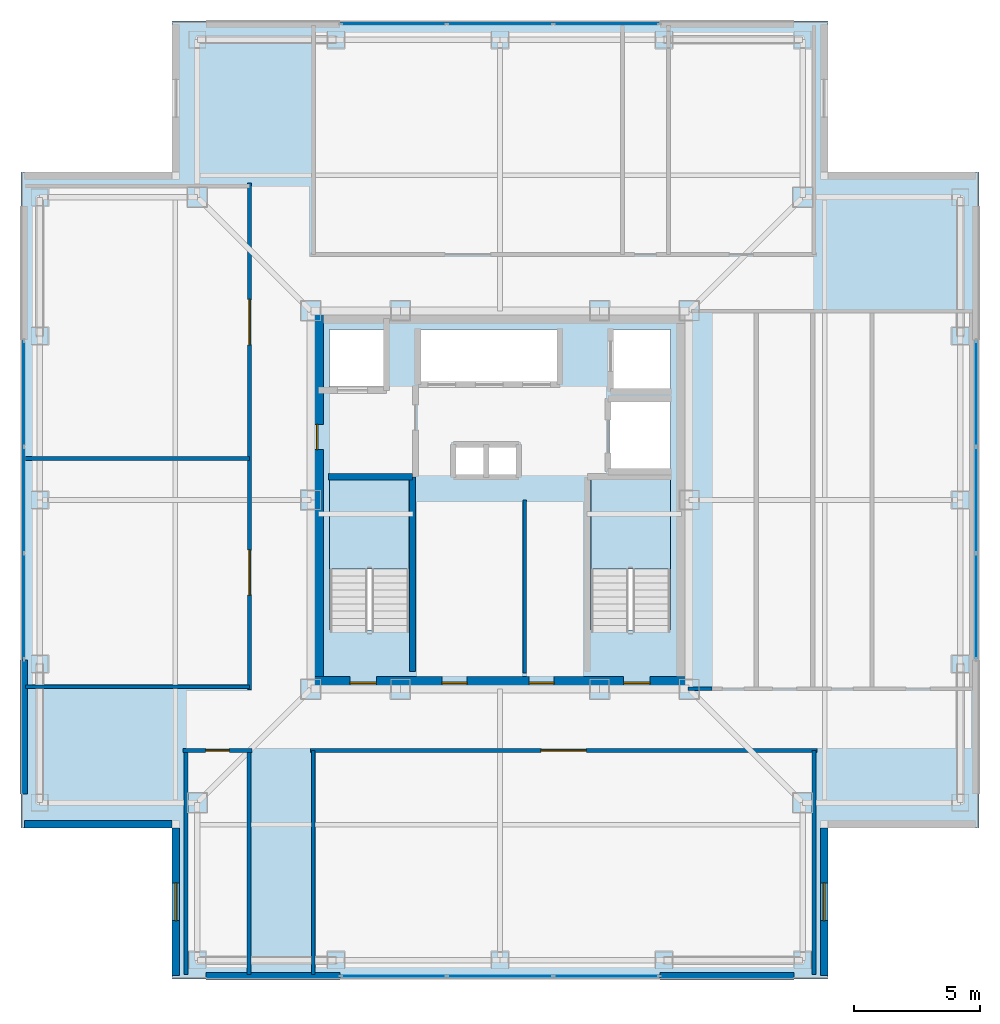
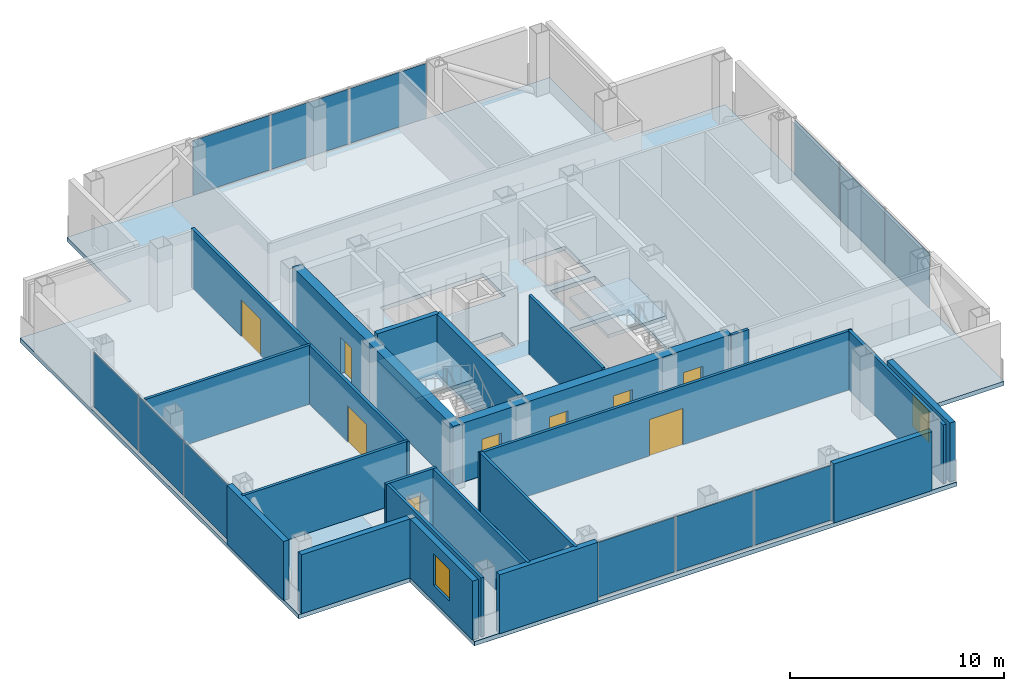
# One storey, part 8 of 16: 21 walls, 12 plates, 9 doors, 3 slabs, 2 windows, 11 openings, 6 elements without a shape of their own.
"""IFC4 building model written with IfcOpenShell, lengths in metres."""

from ifc_helpers import new_model, si_unit, direction, frame, frame_2d, origin, origin_2d, place, context, subcontext, project, spatial, polyline, rectangle, outline, extrude, material, layer, layer_set, type_object, element, fill, aggregate, save


model = new_model("IFC4")

# Units and contexts
model_context = context("Model", 3, precision=1e-05, world=origin(), true_north=direction((0.0, 1.0)))
body_context = subcontext(model_context, "Body", "Model", "MODEL_VIEW")
ifc_project = project(units=[si_unit("LENGTHUNIT", "METRE"), si_unit("AREAUNIT", "SQUARE_METRE"), si_unit("VOLUMEUNIT", "CUBIC_METRE"), si_unit("PLANEANGLEUNIT", "RADIAN"), si_unit("MASSUNIT", "GRAM", prefix="KILO")], contexts=[model_context])

# Site, building, storey
site_placement = place(None, origin())
site = spatial("IfcSite", under=ifc_project, at=site_placement, CompositionType="ELEMENT")
building_placement = place(site_placement, origin())
building = spatial("IfcBuilding", under=site, at=building_placement, Name="Trevonay Congress Spire", CompositionType="ELEMENT")
storey_placement = place(building_placement, frame((0.0, 0.0, 257.60009765625)))
storey = spatial("IfcBuildingStorey", under=building, at=storey_placement, Name="L67", CompositionType="ELEMENT", Elevation=257.60009765625)

# Curtain wall, plates
ifc_material_1 = material(Name="Pale Anodised Aluminium EN AW-6063-T6", Category="aluminium")
ifc_layer_1 = layer(ifc_material_1, 0.1650390625, Name="Pale Anodised Aluminium EN AW-6063-T6")
ifc_layer_set_1 = layer_set([ifc_layer_1], Name="Pale Anodised Aluminium EN AW-6063-T6")
curtain_wall_type = type_object("IfcCurtainWallType", Name="CW-SYS05-DIPLOM-PALE-METAL", PredefinedType="NOTDEFINED", material=ifc_layer_set_1)
curtain_wall_1_placement = place(storey_placement, origin())
curtain_wall_1 = element("IfcCurtainWall", 1, at=curtain_wall_1_placement, inside=storey, type_object=curtain_wall_type, Name="L67 S unitised curtain wall", PredefinedType="NOTDEFINED")
ifc_material_2 = material(Name="Insulated Low-E Vision Glass IGU", Category="glass")
ifc_layer_2 = layer(ifc_material_2, 0.035888671875, Name="Insulated Low-E Vision Glass IGU")
ifc_layer_set_2 = layer_set([ifc_layer_2], Name="Insulated Low-E Vision Glass IGU")
plate_type = type_object("IfcPlateType", Name="CW-PANEL-IGU36-SILVER", PredefinedType="CURTAIN_PANEL", material=ifc_layer_set_2)
plate_1_placement = place(storey_placement, frame((-4.21826171875, -18.8798828125, 0.119873046875), z_axis=(0.0, 0.0, 1.0), x_axis=(1.0, 0.0, 0.0)))
plate_1 = element("IfcPlate", 2, at=plate_1_placement, type_object=plate_type, Name="CW05 panel 1.1", PredefinedType="CURTAIN_PANEL", context=body_context, shape_type="SweptSolid", body=[
    extrude(rectangle(XDim=4.143310546875, YDim=0.035888671875, at=origin_2d()), origin(), (0.0, 0.0, 1.0), 3.1201171875),
])
plate_2_placement = place(storey_placement, frame((0.0, -18.8798828125, 0.119873046875), z_axis=(0.0, 0.0, 1.0), x_axis=(1.0, 0.0, 0.0)))
plate_2 = element("IfcPlate", 3, at=plate_2_placement, type_object=plate_type, Name="CW05 panel 2.1", PredefinedType="CURTAIN_PANEL", context=body_context, shape_type="SweptSolid", body=[
    extrude(rectangle(XDim=4.17333984375, YDim=0.035888671875, at=origin_2d()), origin(), (0.0, 0.0, 1.0), 3.1201171875),
])
plate_3_placement = place(storey_placement, frame((4.21826171875, -18.8798828125, 0.119873046875), z_axis=(0.0, 0.0, 1.0), x_axis=(1.0, 0.0, 0.0)))
plate_3 = element("IfcPlate", 4, at=plate_3_placement, type_object=plate_type, Name="CW05 panel 3.1", PredefinedType="CURTAIN_PANEL", context=body_context, shape_type="SweptSolid", body=[
    extrude(rectangle(XDim=4.143310546875, YDim=0.035888671875, at=origin_2d()), origin(), (0.0, 0.0, 1.0), 3.1201171875),
])
aggregate(curtain_wall_1, [plate_1, plate_2, plate_3])

curtain_wall_2_placement = place(storey_placement, origin())
curtain_wall_2 = element("IfcCurtainWall", 5, at=curtain_wall_2_placement, inside=storey, type_object=curtain_wall_type, Name="L67 N unitised curtain wall", PredefinedType="NOTDEFINED")
plate_4_placement = place(storey_placement, frame((-4.21826171875, 18.8798828125, 0.119873046875), z_axis=(0.0, 0.0, 1.0), x_axis=(1.0, 0.0, 0.0)))
plate_4 = element("IfcPlate", 6, at=plate_4_placement, type_object=plate_type, Name="CW05 panel 1.1", PredefinedType="CURTAIN_PANEL", context=body_context, shape_type="SweptSolid", body=[
    extrude(rectangle(XDim=4.143310546875, YDim=0.035888671875, at=origin_2d()), origin(), (0.0, 0.0, 1.0), 3.1201171875),
])
plate_5_placement = place(storey_placement, frame((0.0, 18.8798828125, 0.119873046875), z_axis=(0.0, 0.0, 1.0), x_axis=(1.0, 0.0, 0.0)))
plate_5 = element("IfcPlate", 7, at=plate_5_placement, type_object=plate_type, Name="CW05 panel 2.1", PredefinedType="CURTAIN_PANEL", context=body_context, shape_type="SweptSolid", body=[
    extrude(rectangle(XDim=4.17333984375, YDim=0.035888671875, at=origin_2d()), origin(), (0.0, 0.0, 1.0), 3.1201171875),
])
plate_6_placement = place(storey_placement, frame((4.21826171875, 18.8798828125, 0.119873046875), z_axis=(0.0, 0.0, 1.0), x_axis=(1.0, 0.0, 0.0)))
plate_6 = element("IfcPlate", 8, at=plate_6_placement, type_object=plate_type, Name="CW05 panel 3.1", PredefinedType="CURTAIN_PANEL", context=body_context, shape_type="SweptSolid", body=[
    extrude(rectangle(XDim=4.143310546875, YDim=0.035888671875, at=origin_2d()), origin(), (0.0, 0.0, 1.0), 3.1201171875),
])
aggregate(curtain_wall_2, [plate_4, plate_5, plate_6])

curtain_wall_3_placement = place(storey_placement, origin())
curtain_wall_3 = element("IfcCurtainWall", 9, at=curtain_wall_3_placement, inside=storey, type_object=curtain_wall_type, Name="L67 W unitised curtain wall", PredefinedType="NOTDEFINED")
plate_7_placement = place(storey_placement, frame((-18.8798828125, -4.21826171875, 0.119873046875), z_axis=(0.0, 0.0, 1.0), x_axis=(0.0, 1.0, 0.0)))
plate_7 = element("IfcPlate", 10, at=plate_7_placement, type_object=plate_type, Name="CW05 panel 1.1", PredefinedType="CURTAIN_PANEL", context=body_context, shape_type="SweptSolid", body=[
    extrude(rectangle(XDim=4.143310546875, YDim=0.035888671875, at=origin_2d()), origin(), (0.0, 0.0, 1.0), 3.1201171875),
])
plate_8_placement = place(storey_placement, frame((-18.8798828125, 0.0, 0.119873046875), z_axis=(0.0, 0.0, 1.0), x_axis=(0.0, 1.0, 0.0)))
plate_8 = element("IfcPlate", 11, at=plate_8_placement, type_object=plate_type, Name="CW05 panel 2.1", PredefinedType="CURTAIN_PANEL", context=body_context, shape_type="SweptSolid", body=[
    extrude(rectangle(XDim=4.17333984375, YDim=0.035888671875, at=origin_2d()), origin(), (0.0, 0.0, 1.0), 3.1201171875),
])
plate_9_placement = place(storey_placement, frame((-18.8798828125, 4.21826171875, 0.119873046875), z_axis=(0.0, 0.0, 1.0), x_axis=(0.0, 1.0, 0.0)))
plate_9 = element("IfcPlate", 12, at=plate_9_placement, type_object=plate_type, Name="CW05 panel 3.1", PredefinedType="CURTAIN_PANEL", context=body_context, shape_type="SweptSolid", body=[
    extrude(rectangle(XDim=4.143310546875, YDim=0.035888671875, at=origin_2d()), origin(), (0.0, 0.0, 1.0), 3.1201171875),
])
aggregate(curtain_wall_3, [plate_7, plate_8, plate_9])

curtain_wall_4_placement = place(storey_placement, origin())
curtain_wall_4 = element("IfcCurtainWall", 13, at=curtain_wall_4_placement, inside=storey, type_object=curtain_wall_type, Name="L67 E unitised curtain wall", PredefinedType="NOTDEFINED")
plate_10_placement = place(storey_placement, frame((18.8798828125, -4.21826171875, 0.119873046875), z_axis=(0.0, 0.0, 1.0), x_axis=(0.0, 1.0, 0.0)))
plate_10 = element("IfcPlate", 14, at=plate_10_placement, type_object=plate_type, Name="CW05 panel 1.1", PredefinedType="CURTAIN_PANEL", context=body_context, shape_type="SweptSolid", body=[
    extrude(rectangle(XDim=4.143310546875, YDim=0.035888671875, at=origin_2d()), origin(), (0.0, 0.0, 1.0), 3.1201171875),
])
plate_11_placement = place(storey_placement, frame((18.8798828125, 0.0, 0.119873046875), z_axis=(0.0, 0.0, 1.0), x_axis=(0.0, 1.0, 0.0)))
plate_11 = element("IfcPlate", 15, at=plate_11_placement, type_object=plate_type, Name="CW05 panel 2.1", PredefinedType="CURTAIN_PANEL", context=body_context, shape_type="SweptSolid", body=[
    extrude(rectangle(XDim=4.17333984375, YDim=0.035888671875, at=origin_2d()), origin(), (0.0, 0.0, 1.0), 3.1201171875),
])
plate_12_placement = place(storey_placement, frame((18.8798828125, 4.21826171875, 0.119873046875), z_axis=(0.0, 0.0, 1.0), x_axis=(0.0, 1.0, 0.0)))
plate_12 = element("IfcPlate", 16, at=plate_12_placement, type_object=plate_type, Name="CW05 panel 3.1", PredefinedType="CURTAIN_PANEL", context=body_context, shape_type="SweptSolid", body=[
    extrude(rectangle(XDim=4.143310546875, YDim=0.035888671875, at=origin_2d()), origin(), (0.0, 0.0, 1.0), 3.1201171875),
])
aggregate(curtain_wall_4, [plate_10, plate_11, plate_12])

# Stair, slab
ifc_material_3 = material(Name="Concrete C40/50", Category="concrete")
stair_type_1 = type_object("IfcStairType", Name="STR-ST-1", PredefinedType="HALF_TURN_STAIR", material=ifc_material_3)
stair_1_placement = place(storey_placement, origin())
stair_1 = element("IfcStair", 17, at=stair_1_placement, inside=storey, type_object=stair_type_1, Name="L67 Protected Exit Stair ST-1", PredefinedType="HALF_TURN_STAIR")
ifc_layer_3 = layer(ifc_material_3, 0.199951171875, Name="Concrete C40/50")
ifc_layer_set_3 = layer_set([ifc_layer_3], Name="Concrete C40/50")
slab_type_1 = type_object("IfcSlabType", Name="SLB-STAIR-LAND-200", PredefinedType="LANDING", material=ifc_layer_set_3)
slab_1_placement = place(storey_placement, frame((0.0, 0.0, 1.599853515625)))
slab_1 = element("IfcSlab", 18, at=slab_1_placement, type_object=slab_type_1, Name="ST-1 landing 1", PredefinedType="LANDING", context=body_context, shape_type="SweptSolid", body=[
    extrude(outline(polyline([(-3.60009765625, -2.72998046875), (-3.60009765625, 0.85009765625), (-6.75, 0.85009765625), (-6.75, -2.72998046875), (-3.60009765625, -2.72998046875)])), origin(), (0.0, 0.0, 1.0), 0.199951171875),
])
aggregate(stair_1, [slab_1])

stair_type_2 = type_object("IfcStairType", Name="STR-ST-2", PredefinedType="HALF_TURN_STAIR", material=ifc_material_3)
stair_2_placement = place(storey_placement, origin())
stair_2 = element("IfcStair", 19, at=stair_2_placement, inside=storey, type_object=stair_type_2, Name="L67 Protected Exit Stair ST-2", PredefinedType="HALF_TURN_STAIR")
slab_2_placement = place(storey_placement, frame((0.0, 0.0, 1.599853515625)))
slab_2 = element("IfcSlab", 20, at=slab_2_placement, type_object=slab_type_1, Name="ST-2 landing 1", PredefinedType="LANDING", context=body_context, shape_type="SweptSolid", body=[
    extrude(outline(polyline([(6.75, -2.72998046875), (6.75, 0.85009765625), (3.60009765625, 0.85009765625), (3.60009765625, -2.72998046875), (6.75, -2.72998046875)])), origin(), (0.0, 0.0, 1.0), 0.199951171875),
])
aggregate(stair_2, [slab_2])

# Slab
ifc_layer_4 = layer(ifc_material_3, 0.239990234375, Name="Concrete C40/50")
ifc_layer_set_4 = layer_set([ifc_layer_4], Name="Concrete C40/50")
slab_type_2 = type_object("IfcSlabType", Name="SLB-TOW2-240", PredefinedType="FLOOR", material=ifc_layer_set_4)
slab_3_placement = place(storey_placement, frame((0.0, 0.0, -0.239990234375)))
element("IfcSlab", 21, at=slab_3_placement, inside=storey, type_object=slab_type_2, Name="L67 structural floor slab", PredefinedType="FLOOR", context=body_context, shape_type="SweptSolid", body=[
    extrude(outline(polyline([(-13.0, -19.0), (13.0, -19.0), (13.0, -13.0), (19.0, -13.0), (19.0, 13.0), (13.0, 13.0), (13.0, 19.0), (-13.0, 19.0), (-13.0, 13.0), (-19.0, 13.0), (-19.0, -13.0), (-13.0, -13.0), (-13.0, -19.0)]), holes=[polyline([(-3.60009765625, -5.14990234375), (-3.60009765625, 0.85009765625), (-6.75, 0.85009765625), (-6.75, -5.14990234375), (-3.60009765625, -5.14990234375)]), polyline([(6.75, -5.14990234375), (6.75, 0.85009765625), (3.60009765625, 0.85009765625), (3.60009765625, -5.14990234375), (6.75, -5.14990234375)]), polyline([(-3.199951171875, 4.64990234375), (2.340087890625, 4.64990234375), (2.340087890625, 6.75), (-3.199951171875, 6.75), (-3.199951171875, 4.64990234375)]), polyline([(-6.75, 4.35009765625), (-4.449951171875, 4.35009765625), (-4.449951171875, 6.75), (-6.75, 6.75), (-6.75, 4.35009765625)]), polyline([(4.449951171875, 4.35009765625), (6.75, 4.35009765625), (6.75, 6.75), (4.449951171875, 6.75), (4.449951171875, 4.35009765625)]), polyline([(4.35009765625, 1.199951171875), (6.75, 1.199951171875), (6.75, 3.949951171875), (4.35009765625, 3.949951171875), (4.35009765625, 1.199951171875)]), polyline([(-1.800048828125, 0.949951171875), (0.699951171875, 0.949951171875), (0.699951171875, 2.14990234375), (-1.800048828125, 2.14990234375), (-1.800048828125, 0.949951171875)])]), origin(), (0.0, 0.0, 1.0), 0.239990234375),
])

# Wall, openings, doors
ifc_material_4 = material(Name="Concrete C50/60", Category="concrete")
ifc_layer_5 = layer(ifc_material_4, 0.5, Name="Concrete C50/60")
ifc_layer_set_5 = layer_set([ifc_layer_5], Name="Concrete C50/60")
wall_type_1 = type_object("IfcWallType", Name="WAL-CORE-500", PredefinedType="SHEAR", material=ifc_layer_set_5)
wall_1_placement = place(storey_placement, frame((-7.5, -7.25, 0.0), z_axis=(0.0, 0.0, 1.0), x_axis=(1.0, 0.0, 0.0)))
wall_1 = element("IfcWall", 22, at=wall_1_placement, inside=storey, type_object=wall_type_1, Name="L67 South structural core shear wall", PredefinedType="SHEAR", context=body_context, shape_type="SweptSolid", body=[
    extrude(rectangle(XDim=15.0, YDim=0.5, at=frame_2d((7.5, 0.0))), origin(), (0.0, 0.0, 1.0), 3.35986328125),
])
opening_1_placement = place(wall_1_placement, frame((1.550048828125, 0.0, 0.0)))
opening_1 = element("IfcOpeningElement", 23, at=opening_1_placement, cuts=wall_1, Name="Opening D05", PredefinedType="OPENING", context=body_context, shape_type="SweptSolid", body=[
    extrude(rectangle(XDim=1.050048828125, YDim=2.080078125, at=frame_2d((0.52490234375, 1.0400390625))), frame((0.0, 0.260009765625, 0.0), z_axis=(0.0, -1.0, 0.0), x_axis=(1.0, 0.0, 0.0)), (0.0, 0.0, 1.0), 0.52001953125),
])
opening_2_placement = place(wall_1_placement, frame((12.39990234375, 0.0, 0.0)))
opening_2 = element("IfcOpeningElement", 24, at=opening_2_placement, cuts=wall_1, Name="Opening D05", PredefinedType="OPENING", context=body_context, shape_type="SweptSolid", body=[
    extrude(rectangle(XDim=1.050048828125, YDim=2.080078125, at=frame_2d((0.52490234375, 1.0400390625))), frame((0.0, 0.260009765625, 0.0), z_axis=(0.0, -1.0, 0.0), x_axis=(1.0, 0.0, 0.0)), (0.0, 0.0, 1.0), 0.52001953125),
])
opening_3_placement = place(wall_1_placement, frame((5.199951171875, 0.0, 0.0)))
opening_3 = element("IfcOpeningElement", 25, at=opening_3_placement, cuts=wall_1, Name="Opening D06", PredefinedType="OPENING", context=body_context, shape_type="SweptSolid", body=[
    extrude(rectangle(XDim=1.0, YDim=2.080078125, at=frame_2d((0.5, 1.0400390625))), frame((0.0, 0.260009765625, 0.0), z_axis=(0.0, -1.0, 0.0), x_axis=(1.0, 0.0, 0.0)), (0.0, 0.0, 1.0), 0.52001953125),
])
opening_4_placement = place(wall_1_placement, frame((8.64990234375, 0.0, 0.0)))
opening_4 = element("IfcOpeningElement", 26, at=opening_4_placement, cuts=wall_1, Name="Opening D06", PredefinedType="OPENING", context=body_context, shape_type="SweptSolid", body=[
    extrude(rectangle(XDim=1.0, YDim=2.080078125, at=frame_2d((0.5, 1.0400390625))), frame((0.0, 0.260009765625, 0.0), z_axis=(0.0, -1.0, 0.0), x_axis=(1.0, 0.0, 0.0)), (0.0, 0.0, 1.0), 0.52001953125),
])
ifc_material_5 = material(Name="Steel ASTM A572 Grade 50", Category="steel")
door_type_1 = type_object("IfcDoorType", Name="DOR-FIRE-100", OperationType="NOTDEFINED", PredefinedType="DOOR", material=ifc_material_5)
door_1_placement = place(opening_3_placement, origin())
door_1 = element("IfcDoor", 27, at=door_1_placement, inside=storey, type_object=door_type_1, Name="L67 South Core Room 1 Door", OperationType="SINGLE_SWING_LEFT", OverallHeight=2.080078125, OverallWidth=1.0, PredefinedType="DOOR", context=body_context, shape_type="SweptSolid", body=[
    extrude(rectangle(XDim=1.0, YDim=2.080078125, at=frame_2d((0.5, 1.0400390625))), frame((0.0, 0.02490234375, 0.0), z_axis=(0.0, -1.0, 0.0), x_axis=(1.0, 0.0, 0.0)), (0.0, 0.0, 1.0), 0.050048828125),
])
fill(opening_3, door_1)
door_2_placement = place(opening_4_placement, origin())
door_2 = element("IfcDoor", 28, at=door_2_placement, inside=storey, type_object=door_type_1, Name="L67 South Core Room 2 Door", OperationType="SINGLE_SWING_RIGHT", OverallHeight=2.080078125, OverallWidth=1.0, PredefinedType="DOOR", context=body_context, shape_type="SweptSolid", body=[
    extrude(rectangle(XDim=1.0, YDim=2.080078125, at=frame_2d((0.5, 1.0400390625))), frame((0.0, 0.02490234375, 0.0), z_axis=(0.0, -1.0, 0.0), x_axis=(1.0, 0.0, 0.0)), (0.0, 0.0, 1.0), 0.050048828125),
])
fill(opening_4, door_2)
door_type_2 = type_object("IfcDoorType", Name="DOR-STAIR-110", OperationType="NOTDEFINED", PredefinedType="DOOR", material=ifc_material_5)
door_3_placement = place(opening_1_placement, origin())
door_3 = element("IfcDoor", 29, at=door_3_placement, inside=storey, type_object=door_type_2, Name="L67 Protected Stair ST-1 Door", OperationType="SINGLE_SWING_RIGHT", OverallHeight=2.080078125, OverallWidth=1.050048828125, PredefinedType="DOOR", context=body_context, shape_type="SweptSolid", body=[
    extrude(rectangle(XDim=1.050048828125, YDim=2.080078125, at=frame_2d((0.52490234375, 1.0400390625))), frame((0.0, 0.02490234375, 0.0), z_axis=(0.0, -1.0, 0.0), x_axis=(1.0, 0.0, 0.0)), (0.0, 0.0, 1.0), 0.050048828125),
])
fill(opening_1, door_3)
door_4_placement = place(opening_2_placement, origin())
door_4 = element("IfcDoor", 30, at=door_4_placement, inside=storey, type_object=door_type_2, Name="L67 Protected Stair ST-2 Door", OperationType="SINGLE_SWING_LEFT", OverallHeight=2.080078125, OverallWidth=1.050048828125, PredefinedType="DOOR", context=body_context, shape_type="SweptSolid", body=[
    extrude(rectangle(XDim=1.050048828125, YDim=2.080078125, at=frame_2d((0.52490234375, 1.0400390625))), frame((0.0, 0.02490234375, 0.0), z_axis=(0.0, -1.0, 0.0), x_axis=(1.0, 0.0, 0.0)), (0.0, 0.0, 1.0), 0.050048828125),
])
fill(opening_2, door_4)

# Wall, opening, door
wall_2_placement = place(storey_placement, frame((-7.25, -7.5, 0.0), z_axis=(0.0, 0.0, 1.0), x_axis=(0.0, 1.0, 0.0)))
wall_2 = element("IfcWall", 31, at=wall_2_placement, inside=storey, type_object=wall_type_1, Name="L67 West structural core shear wall", PredefinedType="SHEAR", context=body_context, shape_type="SweptSolid", body=[
    extrude(rectangle(XDim=15.0, YDim=0.5, at=frame_2d((7.5, 0.0))), origin(), (0.0, 0.0, 1.0), 3.35986328125),
])
opening_5_placement = place(wall_2_placement, frame((9.5, 0.0, 0.0)))
opening_5 = element("IfcOpeningElement", 32, at=opening_5_placement, cuts=wall_2, Name="Opening D06", PredefinedType="OPENING", context=body_context, shape_type="SweptSolid", body=[
    extrude(rectangle(XDim=1.0, YDim=2.080078125, at=frame_2d((0.5, 1.0400390625))), frame((0.0, 0.260009765625, 0.0), z_axis=(0.0, -1.0, 0.0), x_axis=(1.0, 0.0, 0.0)), (0.0, 0.0, 1.0), 0.52001953125),
])
door_5_placement = place(opening_5_placement, origin())
door_5 = element("IfcDoor", 33, at=door_5_placement, inside=storey, type_object=door_type_1, Name="L67 Firefighting Lift Lobby West Corridor Door", OperationType="SINGLE_SWING_RIGHT", OverallHeight=2.080078125, OverallWidth=1.0, PredefinedType="DOOR", context=body_context, shape_type="SweptSolid", body=[
    extrude(rectangle(XDim=1.0, YDim=2.080078125, at=frame_2d((0.5, 1.0400390625))), frame((0.0, 0.02490234375, 0.0), z_axis=(0.0, -1.0, 0.0), x_axis=(1.0, 0.0, 0.0)), (0.0, 0.0, 1.0), 0.050048828125),
])
fill(opening_5, door_5)

ifc_layer_6 = layer(ifc_material_3, 0.14990234375, Name="Concrete C40/50")
ifc_layer_set_6 = layer_set([ifc_layer_6], Name="Concrete C40/50")
wall_type_2 = type_object("IfcWallType", Name="WAL-CORR-150", PredefinedType="PARTITIONING", material=ifc_layer_set_6)
wall_3_placement = place(storey_placement, frame((-12.570068359375, -9.929931640625, 0.0), z_axis=(0.0, 0.0, 1.0), x_axis=(1.0, 0.0, 0.0)))
wall_3 = element("IfcWall", 34, at=wall_3_placement, inside=storey, type_object=wall_type_2, Name="L67 interior wall WP-L67SW-COR", PredefinedType="PARTITIONING", context=body_context, shape_type="SweptSolid", body=[
    extrude(rectangle(XDim=2.739990234375, YDim=0.14990234375, at=frame_2d((1.3701171875, 0.0))), origin(), (0.0, 0.0, 1.0), 3.35986328125),
])
opening_6_placement = place(wall_3_placement, frame((0.89501953125, 0.0, 0.0)))
opening_6 = element("IfcOpeningElement", 35, at=opening_6_placement, cuts=wall_3, Name="Opening D07", PredefinedType="OPENING", context=body_context, shape_type="SweptSolid", body=[
    extrude(rectangle(XDim=0.949951171875, YDim=2.06005859375, at=frame_2d((0.47509765625, 1.030029296875))), frame((0.0, 0.0849609375, 0.0), z_axis=(0.0, -1.0, 0.0), x_axis=(1.0, 0.0, 0.0)), (0.0, 0.0, 1.0), 0.169921875),
])
door_type_3 = type_object("IfcDoorType", Name="DOR-OFFICE-95", OperationType="NOTDEFINED", PredefinedType="DOOR", material=ifc_material_1)
door_6_placement = place(opening_6_placement, origin())
door_6 = element("IfcDoor", 36, at=door_6_placement, inside=storey, type_object=door_type_3, Name="L67 Chef Tasting Private Dining Room Door", OperationType="SINGLE_SWING_RIGHT", OverallHeight=2.06005859375, OverallWidth=0.949951171875, PredefinedType="DOOR", context=body_context, shape_type="SweptSolid", body=[
    extrude(rectangle(XDim=0.949951171875, YDim=2.06005859375, at=frame_2d((0.47509765625, 1.030029296875))), frame((0.0, 0.02490234375, 0.0), z_axis=(0.0, -1.0, 0.0), x_axis=(1.0, 0.0, 0.0)), (0.0, 0.0, 1.0), 0.050048828125),
])
fill(opening_6, door_6)

wall_4_placement = place(storey_placement, frame((-7.52001953125, -9.929931640625, 0.0), z_axis=(0.0, 0.0, 1.0), x_axis=(1.0, 0.0, 0.0)))
wall_4 = element("IfcWall", 37, at=wall_4_placement, inside=storey, type_object=wall_type_2, Name="L67 interior wall WP-L67SE-COR", PredefinedType="PARTITIONING", context=body_context, shape_type="SweptSolid", body=[
    extrude(rectangle(XDim=20.090087890625, YDim=0.14990234375, at=frame_2d((10.044921875, 0.0))), origin(), (0.0, 0.0, 1.0), 3.35986328125),
])
opening_7_placement = place(wall_4_placement, frame((9.14501953125, 0.0, 0.0)))
opening_7 = element("IfcOpeningElement", 38, at=opening_7_placement, cuts=wall_4, Name="Opening D09", PredefinedType="OPENING", context=body_context, shape_type="SweptSolid", body=[
    extrude(rectangle(XDim=1.800048828125, YDim=2.080078125, at=frame_2d((0.89990234375, 1.0400390625))), frame((0.0, 0.0849609375, 0.0), z_axis=(0.0, -1.0, 0.0), x_axis=(1.0, 0.0, 0.0)), (0.0, 0.0, 1.0), 0.169921875),
])
door_type_4 = type_object("IfcDoorType", Name="DOR-CONF-DBL", OperationType="DOUBLE_DOOR_SINGLE_SWING", PredefinedType="DOOR", material=ifc_material_1)
door_7_placement = place(opening_7_placement, origin())
door_7 = element("IfcDoor", 39, at=door_7_placement, inside=storey, type_object=door_type_4, Name="L67 State Panoramic Fine-Dining Restaurant Door", OperationType="DOUBLE_DOOR_SINGLE_SWING", OverallHeight=2.080078125, OverallWidth=1.800048828125, PredefinedType="DOOR", context=body_context, shape_type="SweptSolid", body=[
    extrude(rectangle(XDim=1.800048828125, YDim=2.080078125, at=frame_2d((0.89990234375, 1.0400390625))), frame((0.0, 0.02490234375, 0.0), z_axis=(0.0, -1.0, 0.0), x_axis=(1.0, 0.0, 0.0)), (0.0, 0.0, 1.0), 0.050048828125),
])
fill(opening_7, door_7)

# Wall, openings, doors
wall_5_placement = place(storey_placement, frame((-9.929931640625, -7.52001953125, 0.0), z_axis=(0.0, 0.0, 1.0), x_axis=(0.0, 1.0, 0.0)))
wall_5 = element("IfcWall", 40, at=wall_5_placement, inside=storey, type_object=wall_type_2, Name="L67 interior wall WP-L67NW-COR", PredefinedType="PARTITIONING", context=body_context, shape_type="SweptSolid", body=[
    extrude(rectangle(XDim=20.090087890625, YDim=0.14990234375, at=frame_2d((10.044921875, 0.0))), origin(), (0.0, 0.0, 1.0), 3.35986328125),
])
opening_8_placement = place(wall_5_placement, frame((3.7451171875, 0.0, 0.0)))
opening_8 = element("IfcOpeningElement", 41, at=opening_8_placement, cuts=wall_5, Name="Opening D09", PredefinedType="OPENING", context=body_context, shape_type="SweptSolid", body=[
    extrude(rectangle(XDim=1.800048828125, YDim=2.080078125, at=frame_2d((0.89990234375, 1.0400390625))), frame((0.0, 0.0849609375, 0.0), z_axis=(0.0, -1.0, 0.0), x_axis=(1.0, 0.0, 0.0)), (0.0, 0.0, 1.0), 0.169921875),
])
opening_9_placement = place(wall_5_placement, frame((13.669921875, 0.0, 0.0)))
opening_9 = element("IfcOpeningElement", 42, at=opening_9_placement, cuts=wall_5, Name="Opening D09", PredefinedType="OPENING", context=body_context, shape_type="SweptSolid", body=[
    extrude(rectangle(XDim=1.800048828125, YDim=2.080078125, at=frame_2d((0.89990234375, 1.0400390625))), frame((0.0, 0.0849609375, 0.0), z_axis=(0.0, -1.0, 0.0), x_axis=(1.0, 0.0, 0.0)), (0.0, 0.0, 1.0), 0.169921875),
])
door_8_placement = place(opening_8_placement, origin())
door_8 = element("IfcDoor", 43, at=door_8_placement, inside=storey, type_object=door_type_4, Name="L67 State Culinary Hot Kitchen Door", OperationType="DOUBLE_DOOR_SINGLE_SWING", OverallHeight=2.080078125, OverallWidth=1.800048828125, PredefinedType="DOOR", context=body_context, shape_type="SweptSolid", body=[
    extrude(rectangle(XDim=1.800048828125, YDim=2.080078125, at=frame_2d((0.89990234375, 1.0400390625))), frame((0.0, 0.02490234375, 0.0), z_axis=(0.0, -1.0, 0.0), x_axis=(1.0, 0.0, 0.0)), (0.0, 0.0, 1.0), 0.050048828125),
])
fill(opening_8, door_8)
door_9_placement = place(opening_9_placement, origin())
door_9 = element("IfcDoor", 44, at=door_9_placement, inside=storey, type_object=door_type_4, Name="L67 Cold Larder and Bakery Kitchen Door", OperationType="DOUBLE_DOOR_SINGLE_SWING", OverallHeight=2.080078125, OverallWidth=1.800048828125, PredefinedType="DOOR", context=body_context, shape_type="SweptSolid", body=[
    extrude(rectangle(XDim=1.800048828125, YDim=2.080078125, at=frame_2d((0.89990234375, 1.0400390625))), frame((0.0, 0.02490234375, 0.0), z_axis=(0.0, -1.0, 0.0), x_axis=(1.0, 0.0, 0.0)), (0.0, 0.0, 1.0), 0.050048828125),
])
fill(opening_9, door_9)

# Walls
wall_6_placement = place(storey_placement, frame((7.449951171875, -7.47998046875, 0.0), z_axis=(0.0, 0.0, 1.0), x_axis=(1.0, 0.0, 0.0)))
element("IfcWall", 45, at=wall_6_placement, inside=storey, type_object=wall_type_2, Name="L67 interior wall WP-L67E-STUB", PredefinedType="PARTITIONING", context=body_context, shape_type="SweptSolid", body=[
    extrude(rectangle(XDim=0.949951171875, YDim=0.14990234375, at=frame_2d((0.47509765625, 0.0))), origin(), (0.0, 0.0, 1.0), 3.35986328125),
])
ifc_material_6 = material(Name="Precast concrete C40/50", Category="concrete")
ifc_layer_7 = layer(ifc_material_6, 0.300048828125, Name="Precast concrete C40/50")
ifc_layer_set_7 = layer_set([ifc_layer_7], Name="Precast concrete C40/50")
wall_type_3 = type_object("IfcWallType", Name="WAL-EXT-PRECAST-300", PredefinedType="SOLIDWALL", material=ifc_layer_set_7)
for number, where, z_axis, x_axis, name in (
    (46, (-11.64990234375, -18.8798828125, 0.0), (0.0, 0.0, 1.0), (1.0, 0.0, 0.0), "L67 SL braced-bay exterior pier wall"),
    (47, (6.35009765625, -18.8798828125, 0.0), (0.0, 0.0, 1.0), (1.0, 0.0, 0.0), "L67 SR braced-bay exterior pier wall"),
    (48, (-18.8798828125, -11.64990234375, 0.0), (0.0, 0.0, 1.0), (0.0, 1.0, 0.0), "L67 WL braced-bay exterior pier wall"),
):
    element("IfcWall", number, at=place(storey_placement, frame(where, z_axis=z_axis, x_axis=x_axis)), inside=storey, type_object=wall_type_3, Name=name, PredefinedType="SOLIDWALL", context=body_context, shape_type="SweptSolid", body=[
        extrude(rectangle(XDim=5.2998046875, YDim=0.300048828125, at=frame_2d((2.64990234375, 0.0))), origin(), (0.0, 0.0, 1.0), 3.35986328125),
    ])

# Wall, opening, window
wall_7_placement = place(storey_placement, frame((-12.85009765625, -18.85009765625, 0.0), z_axis=(0.0, 0.0, 1.0), x_axis=(0.0, 1.0, 0.0)))
wall_7 = element("IfcWall", 49, at=wall_7_placement, inside=storey, type_object=wall_type_3, Name="L67 SW re-entrant notch exterior wall 1", PredefinedType="SOLIDWALL", context=body_context, shape_type="SweptSolid", body=[
    extrude(rectangle(XDim=5.85009765625, YDim=0.300048828125, at=frame_2d((2.925048828125, 0.0))), origin(), (0.0, 0.0, 1.0), 3.35986328125),
])
opening_10_placement = place(wall_7_placement, frame((2.175048828125, 0.0, 0.89990234375)))
opening_10 = element("IfcOpeningElement", 50, at=opening_10_placement, cuts=wall_7, Name="Opening WN03", PredefinedType="OPENING", context=body_context, shape_type="SweptSolid", body=[
    extrude(rectangle(XDim=1.5, YDim=1.800048828125, at=frame_2d((0.75, 0.89990234375))), frame((0.0, 0.16015625, 0.0), z_axis=(0.0, -1.0, 0.0), x_axis=(1.0, 0.0, 0.0)), (0.0, 0.0, 1.0), 0.320068359375),
])
window_type = type_object("IfcWindowType", Name="WIN-NOTCH-150X180", PartitioningType="SINGLE_PANEL", PredefinedType="WINDOW", material=ifc_material_2)
window_1_placement = place(opening_10_placement, origin())
window_1 = element("IfcWindow", 51, at=window_1_placement, inside=storey, type_object=window_type, Name="L67 SW corner notch window", OverallHeight=1.800048828125, OverallWidth=1.5, PartitioningType="SINGLE_PANEL", PredefinedType="WINDOW", context=body_context, shape_type="SweptSolid", body=[
    extrude(rectangle(XDim=1.5, YDim=1.800048828125, at=frame_2d((0.75, 0.89990234375))), frame((0.0, 0.030029296875, 0.0), z_axis=(0.0, -1.0, 0.0), x_axis=(1.0, 0.0, 0.0)), (0.0, 0.0, 1.0), 0.06005859375),
])
fill(opening_10, window_1)

# Wall
wall_8_placement = place(storey_placement, frame((-18.85009765625, -12.85009765625, 0.0), z_axis=(0.0, 0.0, 1.0), x_axis=(1.0, 0.0, 0.0)))
element("IfcWall", 52, at=wall_8_placement, inside=storey, type_object=wall_type_3, Name="L67 SW re-entrant notch exterior wall 2", PredefinedType="SOLIDWALL", context=body_context, shape_type="SweptSolid", body=[
    extrude(rectangle(XDim=5.85009765625, YDim=0.300048828125, at=frame_2d((2.925048828125, 0.0))), origin(), (0.0, 0.0, 1.0), 3.35986328125),
])

# Wall, opening, window
wall_9_placement = place(storey_placement, frame((12.85009765625, -18.85009765625, 0.0), z_axis=(0.0, 0.0, 1.0), x_axis=(0.0, 1.0, 0.0)))
wall_9 = element("IfcWall", 53, at=wall_9_placement, inside=storey, type_object=wall_type_3, Name="L67 SE re-entrant notch exterior wall 1", PredefinedType="SOLIDWALL", context=body_context, shape_type="SweptSolid", body=[
    extrude(rectangle(XDim=5.85009765625, YDim=0.300048828125, at=frame_2d((2.925048828125, 0.0))), origin(), (0.0, 0.0, 1.0), 3.35986328125),
])
opening_11_placement = place(wall_9_placement, frame((2.175048828125, 0.0, 0.89990234375)))
opening_11 = element("IfcOpeningElement", 54, at=opening_11_placement, cuts=wall_9, Name="Opening WN03", PredefinedType="OPENING", context=body_context, shape_type="SweptSolid", body=[
    extrude(rectangle(XDim=1.5, YDim=1.800048828125, at=frame_2d((0.75, 0.89990234375))), frame((0.0, 0.16015625, 0.0), z_axis=(0.0, -1.0, 0.0), x_axis=(1.0, 0.0, 0.0)), (0.0, 0.0, 1.0), 0.320068359375),
])
window_2_placement = place(opening_11_placement, origin())
window_2 = element("IfcWindow", 55, at=window_2_placement, inside=storey, type_object=window_type, Name="L67 SE corner notch window", OverallHeight=1.800048828125, OverallWidth=1.5, PartitioningType="SINGLE_PANEL", PredefinedType="WINDOW", context=body_context, shape_type="SweptSolid", body=[
    extrude(rectangle(XDim=1.5, YDim=1.800048828125, at=frame_2d((0.75, 0.89990234375))), frame((0.0, 0.030029296875, 0.0), z_axis=(0.0, -1.0, 0.0), x_axis=(1.0, 0.0, 0.0)), (0.0, 0.0, 1.0), 0.06005859375),
])
fill(opening_11, window_2)

# Walls
ifc_layer_8 = layer(ifc_material_3, 0.14990234375, Name="Concrete C40/50")
ifc_layer_set_8 = layer_set([ifc_layer_8], Name="Concrete C40/50")
wall_type_4 = type_object("IfcWallType", Name="WAL-PART-150", PredefinedType="PARTITIONING", material=ifc_layer_set_8)
wall_10_placement = place(storey_placement, frame((0.97998046875, -6.85009765625, 0.0), z_axis=(0.0, 0.0, 1.0), x_axis=(0.0, 1.0, 0.0)))
element("IfcWall", 56, at=wall_10_placement, inside=storey, type_object=wall_type_4, Name="L67 interior wall CW-F3-L67", PredefinedType="PARTITIONING", context=body_context, shape_type="SweptSolid", body=[
    extrude(rectangle(XDim=6.85009765625, YDim=0.14990234375, at=frame_2d((3.425048828125, 0.0))), origin(), (0.0, 0.0, 1.0), 3.35986328125),
])
for number, where, z_axis, x_axis, name in (
    (57, (-12.449951171875, -18.820068359375, 0.0), (0.0, 0.0, 1.0), (0.0, 1.0, 0.0), "L67 interior wall WP-L67SW-DIV1"),
    (58, (-9.949951171875, -18.820068359375, 0.0), (0.0, 0.0, 1.0), (0.0, 1.0, 0.0), "L67 interior wall WP-L67SW-DIV2"),
    (59, (-7.39990234375, -18.820068359375, 0.0), (0.0, 0.0, 1.0), (0.0, 1.0, 0.0), "L67 interior wall WP-L67SE-DIV1"),
    (60, (12.449951171875, -18.820068359375, 0.0), (0.0, 0.0, 1.0), (0.0, 1.0, 0.0), "L67 interior wall WP-L67SE-DIV2"),
    (61, (-18.820068359375, -7.39990234375, 0.0), (0.0, 0.0, 1.0), (1.0, 0.0, 0.0), "L67 interior wall WP-L67NW-DIV1"),
    (62, (-18.820068359375, 1.64990234375, 0.0), (0.0, 0.0, 1.0), (1.0, 0.0, 0.0), "L67 interior wall WP-L67NW-DIV2"),
):
    element("IfcWall", number, at=place(storey_placement, frame(where, z_axis=z_axis, x_axis=x_axis)), inside=storey, type_object=wall_type_4, Name=name, PredefinedType="PARTITIONING", context=body_context, shape_type="SweptSolid", body=[
        extrude(rectangle(XDim=8.89013671875, YDim=0.14990234375, at=frame_2d((4.445068359375, 0.0))), origin(), (0.0, 0.0, 1.0), 3.35986328125),
    ])
ifc_layer_9 = layer(ifc_material_3, 0.25, Name="Concrete C40/50")
ifc_layer_set_9 = layer_set([ifc_layer_9], Name="Concrete C40/50")
wall_type_5 = type_object("IfcWallType", Name="WAL-SHAFT-LB-250", PredefinedType="SHEAR", material=ifc_layer_set_9)
wall_11_placement = place(storey_placement, frame((-3.469970703125, -6.800048828125, 0.0), z_axis=(0.0, 0.0, 1.0), x_axis=(0.0, 1.0, 0.0)))
element("IfcWall", 63, at=wall_11_placement, inside=storey, type_object=wall_type_5, Name="L67 interior shaft wall WSH-L67-ST1-E", PredefinedType="SHEAR", context=body_context, shape_type="SweptSolid", body=[
    extrude(rectangle(XDim=7.719970703125, YDim=0.25, at=frame_2d((3.85986328125, 0.0))), origin(), (0.0, 0.0, 1.0), 3.35986328125),
])
wall_12_placement = place(storey_placement, frame((-6.800048828125, 0.919921875, 0.0), z_axis=(0.0, 0.0, 1.0), x_axis=(1.0, 0.0, 0.0)))
element("IfcWall", 64, at=wall_12_placement, inside=storey, type_object=wall_type_5, Name="L67 interior shaft wall WSH-L67-ST1-N", PredefinedType="SHEAR", context=body_context, shape_type="SweptSolid", body=[
    extrude(rectangle(XDim=3.330078125, YDim=0.25, at=frame_2d((1.6650390625, 0.0))), origin(), (0.0, 0.0, 1.0), 3.35986328125),
])

save(model, "model.ifc")
